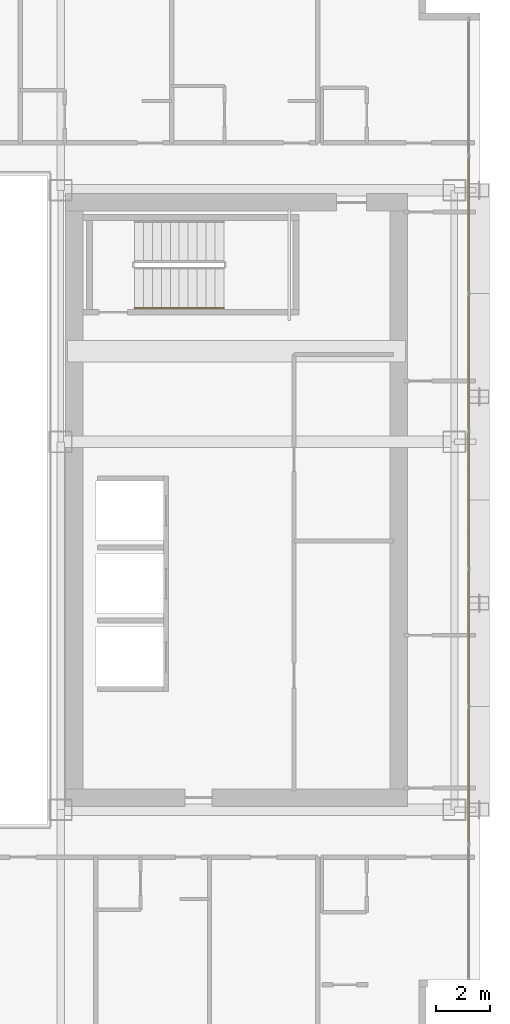
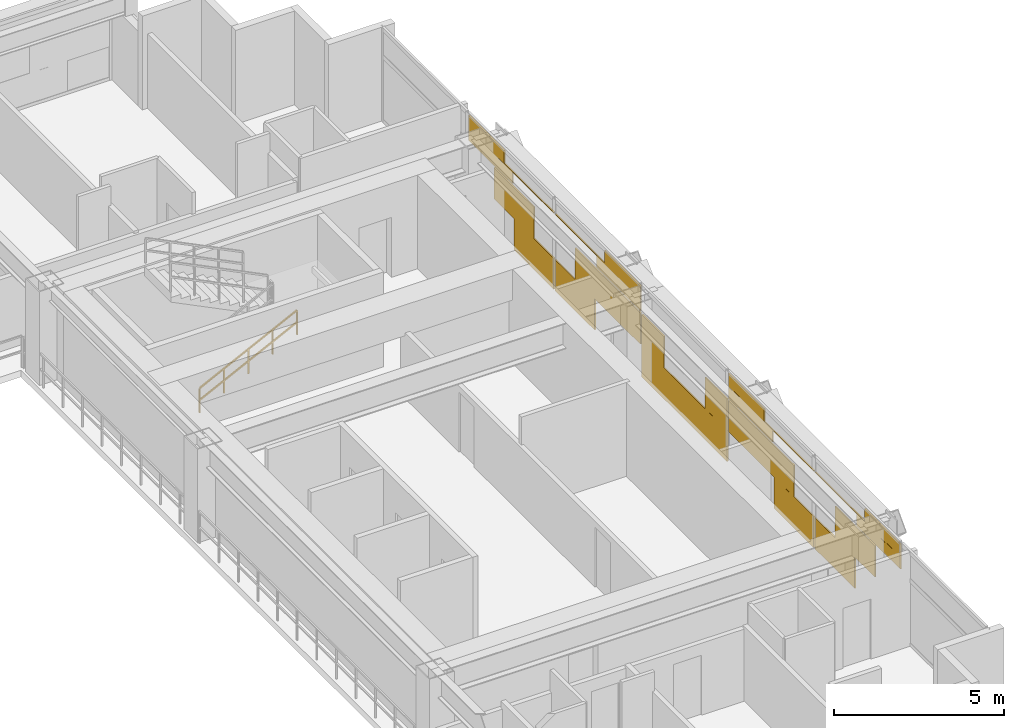
# One storey, part 34 of 35: 1 covering, 1 railing.
"""IFC4 building model written with IfcOpenShell, lengths in metres."""

import ifcopenshell
import ifcopenshell.guid

model = None  # the IFC model being written
_history = None  # IfcOwnerHistory: only IFC2X3 demands one
_inside = {}  # id of a spatial element -> (the spatial element, [elements in it])
_under = {}  # id of a project, library or spatial element -> (it, [spatial elements below it])
_declared = {}  # id of a project -> (the project, [libraries it declares])
_typed = {}  # id of a type object -> (the type object, [elements of that type])
_made_of = {}  # id of a material, layer set ... -> (it, [elements and type objects made of it])


def new_model(schema):
    """Start an empty IFC model of exactly this schema.

    Asked for "IFC4X3", IfcOpenShell would pick the latest addendum, in which some entities
    have other attributes; the version numbers below select the first issue.
    IFC2X3 requires an IfcOwnerHistory on every rooted entity: one is made here for all.
    """
    global model, _history
    if schema == "IFC4X3":
        model = ifcopenshell.file(schema_version=(4, 3, 0, 0))
    else:
        model = ifcopenshell.file(schema=schema)
    _inside.clear()
    _under.clear()
    _declared.clear()
    _typed.clear()
    _made_of.clear()
    _history = None
    if model.schema == "IFC2X3":
        org = make("IfcOrganization", Name="unknown")
        user = make(
            "IfcPersonAndOrganization",
            ThePerson=make("IfcPerson", FamilyName="unknown"),
            TheOrganization=org,
        )
        app = make(
            "IfcApplication",
            ApplicationDeveloper=org,
            Version="unknown",
            ApplicationFullName="unknown",
            ApplicationIdentifier="unknown",
        )
        _history = make(
            "IfcOwnerHistory",
            OwningUser=user,
            OwningApplication=app,
            ChangeAction="ADDED",
            CreationDate=0,
        )
    return model


def make(cls, **values):
    """One entity of the class cls with the attributes given. An attribute that is None is left unset."""
    return model.create_entity(
        cls, **{name: value for name, value in values.items() if value is not None}
    )


def rooted(cls, **values):
    """An entity with a GlobalId (a new one), such as an element, a storey or a relation."""
    return make(cls, GlobalId=ifcopenshell.guid.new(), OwnerHistory=_history, **values)


def si_unit(unit_type, name, prefix=None):
    """IfcSIUnit, for example si_unit("LENGTHUNIT", "METRE", prefix="MILLI")."""
    return make("IfcSIUnit", UnitType=unit_type, Prefix=prefix, Name=name)


def assignment(units):
    """IfcUnitAssignment: the units of a project."""
    return None if units is None else make("IfcUnitAssignment", Units=units)


def point(xyz):
    """IfcCartesianPoint."""
    return None if xyz is None else make("IfcCartesianPoint", Coordinates=xyz)


def direction(xyz):
    """IfcDirection."""
    return None if xyz is None else make("IfcDirection", DirectionRatios=xyz)


def frame(location, z_axis=None, x_axis=None):
    """IfcAxis2Placement3D, a coordinate frame: its origin and axes. An axis left out is left unset."""
    return make(
        "IfcAxis2Placement3D",
        Location=point(location),
        Axis=direction(z_axis),
        RefDirection=direction(x_axis),
    )


def frame_2d(location, x_axis=None):
    """IfcAxis2Placement2D, a coordinate frame in the plane: its origin and x axis."""
    return make(
        "IfcAxis2Placement2D", Location=point(location), RefDirection=direction(x_axis)
    )


def origin():
    """The frame at (0, 0, 0) with its axes left unset."""
    return frame((0.0, 0.0, 0.0))


def origin_2d():
    """The frame at (0, 0) in the plane with its x axis left unset."""
    return frame_2d((0.0, 0.0))


def place(relative_to, where):
    """IfcLocalPlacement: puts the frame where relative to a parent placement (None: the world)."""
    return make(
        "IfcLocalPlacement", PlacementRelTo=relative_to, RelativePlacement=where
    )


def context(
    kind, dimensions, precision=None, world=None, true_north=None, identifier=None
):
    """IfcGeometricRepresentationContext, for example the 3D "Model" context."""
    return make(
        "IfcGeometricRepresentationContext",
        ContextIdentifier=identifier,
        ContextType=kind,
        CoordinateSpaceDimension=dimensions,
        Precision=precision,
        WorldCoordinateSystem=world,
        TrueNorth=true_north,
    )


def subcontext(parent, identifier, kind, view, scale=None):
    """IfcGeometricRepresentationSubContext, for example "Body" below "Model"."""
    return make(
        "IfcGeometricRepresentationSubContext",
        ContextIdentifier=identifier,
        ContextType=kind,
        ParentContext=parent,
        TargetScale=scale,
        TargetView=view,
    )


def project(units=None, contexts=None):
    """IfcProject with its units and contexts."""
    return rooted(
        "IfcProject",
        Name="project",
        RepresentationContexts=contexts,
        UnitsInContext=assignment(units),
    )


def spatial(cls, under=None, at=None, **own):
    """A site, building, storey or space (cls), placed at a placement, below another one or the project."""
    s = rooted(cls, ObjectPlacement=at, **own)
    if under is not None:
        _under.setdefault(under.id(), (under, []))[1].append(s)
    return s


def profile(cls, at=None, kind="AREA", **sizes):
    """A parametric profile (cls). Its sizes go by their IFC names, for example OverallWidth=200.0."""
    return make(cls, ProfileType=kind, Position=at, **sizes)


def rectangle(**sizes):
    """IfcRectangleProfileDef."""
    return profile("IfcRectangleProfileDef", **sizes)


def extrude(swept, where, along, depth):
    """IfcExtrudedAreaSolid: the profile swept, set in the frame where, extruded along a direction by depth."""
    return make(
        "IfcExtrudedAreaSolid",
        SweptArea=swept,
        Position=where,
        ExtrudedDirection=direction(along),
        Depth=depth,
    )


def shape(context_of_items, identifier, shape_type, items):
    """IfcShapeRepresentation: the items that make up one representation, for example the "Body"."""
    return make(
        "IfcShapeRepresentation",
        ContextOfItems=context_of_items,
        RepresentationIdentifier=identifier,
        RepresentationType=shape_type,
        Items=items,
    )


def material(Name=None, Category=None):
    """IfcMaterial."""
    return make("IfcMaterial", Name=Name, Category=Category)


def layer(
    of_material, thickness, ventilated=None, Name=None, Category=None, Priority=None
):
    """IfcMaterialLayer: one layer of a wall or slab, of a material (None: an air gap)."""
    return make(
        "IfcMaterialLayer",
        Material=of_material,
        LayerThickness=thickness,
        IsVentilated=ventilated,
        Name=Name,
        Category=Category,
        Priority=Priority,
    )


def layer_set(layers, Name=None):
    """IfcMaterialLayerSet."""
    return make("IfcMaterialLayerSet", MaterialLayers=layers, LayerSetName=Name)


def made_of(thing, what):
    """Note that an element or type object is made of a material, layer set ...; save() writes the relation."""
    if what is not None:
        _made_of.setdefault(what.id(), (what, []))[1].append(thing)
    return thing


def type_object(cls, material=None, **own):
    """A type object (cls), such as IfcWallType, which elements share."""
    return made_of(rooted(cls, **own), material)


def element(
    cls,
    number,
    at=None,
    inside=None,
    cuts=None,
    type_object=None,
    material=None,
    context=None,
    identifier="Body",
    shape_type=None,
    held_by="IfcProductDefinitionShape",
    body=None,
    shapes=None,
    **own,
):
    """One element of the class cls, such as IfcWall. Its Tag is "e" and its number.

    at: its placement. inside: the storey or other place that contains it. cuts: it is an
    opening in that element (IfcRelVoidsElement). A single representation is given by context,
    identifier, shape_type and body (its items); several are given by shapes. held_by: the class
    of the entity that holds the representations. save() writes the other relations.
    """
    e = rooted(cls, Tag="e%d" % number, ObjectPlacement=at, **own)
    if body is not None:
        shapes = [shape(context, identifier, shape_type, body)]
    if shapes is not None:
        e.Representation = make(held_by, Representations=shapes)
    if inside is not None:
        _inside.setdefault(inside.id(), (inside, []))[1].append(e)
    if cuts is not None:
        rooted(
            "IfcRelVoidsElement", RelatingBuildingElement=cuts, RelatedOpeningElement=e
        )
    if type_object is not None:
        _typed.setdefault(type_object.id(), (type_object, []))[1].append(e)
    return made_of(e, material)


def aggregate(whole, parts):
    """IfcRelAggregates: a whole, such as a stair, and the parts it consists of."""
    return rooted("IfcRelAggregates", RelatingObject=whole, RelatedObjects=parts)


def save(model, path):
    """Write the relations noted so far, then the file.

    IfcRelAggregates (storeys below a building ...), IfcRelContainedInSpatialStructure (elements
    in a storey), IfcRelDefinesByType, IfcRelAssociatesMaterial and IfcRelDeclares: one each for
    every whole, place, type object, material and project.
    """
    for whole, parts in _under.values():
        aggregate(whole, parts)
    for where, things in _inside.values():
        rooted(
            "IfcRelContainedInSpatialStructure",
            RelatedElements=things,
            RelatingStructure=where,
        )
    for kind, things in _typed.values():
        rooted("IfcRelDefinesByType", RelatedObjects=things, RelatingType=kind)
    for what, things in _made_of.values():
        rooted("IfcRelAssociatesMaterial", RelatedObjects=things, RelatingMaterial=what)
    for by, libraries in _declared.values():
        rooted("IfcRelDeclares", RelatingContext=by, RelatedDefinitions=libraries)
    model.write(path)


model = new_model("IFC4")

# Units and contexts
model_context = context("Model", 3, precision=1e-05, world=origin(), true_north=direction((0.0, 1.0)))
body_context = subcontext(model_context, "Body", "Model", "MODEL_VIEW")
ifc_project = project(units=[si_unit("LENGTHUNIT", "METRE"), si_unit("AREAUNIT", "SQUARE_METRE"), si_unit("VOLUMEUNIT", "CUBIC_METRE"), si_unit("PLANEANGLEUNIT", "RADIAN"), si_unit("MASSUNIT", "GRAM", prefix="KILO")], contexts=[model_context])

# Site, building, storey
site_placement = place(None, origin())
site = spatial("IfcSite", under=ifc_project, at=site_placement, CompositionType="ELEMENT")
building_placement = place(site_placement, origin())
building = spatial("IfcBuilding", under=site, at=building_placement, Name="Ocotamira Hotel", CompositionType="ELEMENT")
storey_placement = place(building_placement, frame((0.0, 0.0, 122.39990234375)))
storey = spatial("IfcBuildingStorey", under=building, at=storey_placement, Name="L30", CompositionType="ELEMENT", Elevation=122.39990234375)

# Covering
ifc_material_1 = material(Name="Insulated pale-metal aluminium spandrel panel", Category="aluminium")
ifc_layer = layer(ifc_material_1, 0.044921875)
ifc_layer_set = layer_set([ifc_layer], Name="Insulated pale-metal aluminium spandrel panel")
covering_type = type_object("IfcCoveringType", Name="COV-INFILL-45", PredefinedType="CLADDING", material=ifc_layer_set)
covering_placement = place(storey_placement, origin())
element("IfcCovering", 1, at=covering_placement, inside=storey, type_object=covering_type, Name="L30 Curtain Wall Infill CW-3 CW-L30-E", PredefinedType="CLADDING", context=body_context, shape_type="SweptSolid", body=[
    extrude(rectangle(XDim=2.35107421875, YDim=0.044921875, at=origin_2d()), frame((55.580078125, 15.988525390625, 1.1943359375), z_axis=(0.0, 0.0, 1.0), x_axis=(0.0, 1.0, 0.0)), (0.0, 0.0, 1.0), 1.117919921875),
    extrude(rectangle(XDim=2.331787109375, YDim=0.044921875, at=origin_2d()), frame((55.580078125, 17.1650390625, 0.07568359375), z_axis=(0.0, 0.0, 1.0), x_axis=(0.0, 1.0, 0.0)), (0.0, 0.0, 1.0), 1.117919921875),
    extrude(rectangle(XDim=2.572265625, YDim=0.044921875, at=origin_2d()), frame((55.580078125, 14.6123046875, 2.38818359375), z_axis=(0.0, 0.0, 1.0), x_axis=(0.0, 1.0, 0.0)), (0.0, 0.0, 1.0), 0.413330078125),
    extrude(rectangle(XDim=5.004638671875, YDim=0.044921875, at=origin_2d()), frame((55.580078125, 15.82861328125, 2.802490234375), z_axis=(0.0, 0.0, 1.0), x_axis=(0.0, 1.0, 0.0)), (0.0, 0.0, 1.0), 0.033203125),
    extrude(rectangle(XDim=2.096435546875, YDim=0.044921875, at=origin_2d()), frame((55.580078125, 14.37451171875, 2.8369140625), z_axis=(0.0, 0.0, 1.0), x_axis=(0.0, 1.0, 0.0)), (0.0, 0.0, 1.0), 0.44775390625),
    extrude(rectangle(XDim=2.322265625, YDim=0.044921875, at=origin_2d()), frame((55.580078125, 19.572998046875, 0.07568359375), z_axis=(0.0, 0.0, 1.0), x_axis=(0.0, 1.0, 0.0)), (0.0, 0.0, 1.0), 1.117919921875),
    extrude(rectangle(XDim=3.847412109375, YDim=0.044921875, at=origin_2d()), frame((55.580078125, 21.492919921875, 1.1943359375), z_axis=(0.0, 0.0, 1.0), x_axis=(0.0, 1.0, 0.0)), (0.0, 0.0, 1.0), 1.117919921875),
    extrude(rectangle(XDim=5.004638671875, YDim=0.044921875, at=origin_2d()), frame((55.580078125, 20.914306640625, 2.802490234375), z_axis=(0.0, 0.0, 1.0), x_axis=(0.0, 1.0, 0.0)), (0.0, 0.0, 1.0), 0.033203125),
    extrude(rectangle(XDim=2.581787109375, YDim=0.044921875, at=origin_2d()), frame((55.580078125, 22.125732421875, 2.38818359375), z_axis=(0.0, 0.0, 1.0), x_axis=(0.0, 1.0, 0.0)), (0.0, 0.0, 1.0), 0.413330078125),
    extrude(rectangle(XDim=2.106201171875, YDim=0.044921875, at=origin_2d()), frame((55.580078125, 22.363525390625, 2.8369140625), z_axis=(0.0, 0.0, 1.0), x_axis=(0.0, 1.0, 0.0)), (0.0, 0.0, 1.0), 0.44775390625),
    extrude(rectangle(XDim=5.004638671875, YDim=0.044921875, at=origin_2d()), frame((55.580078125, 26.0, 0.07568359375), z_axis=(0.0, 0.0, 1.0), x_axis=(0.0, 1.0, 0.0)), (0.0, 0.0, 1.0), 1.117919921875),
    extrude(rectangle(XDim=1.2998046875, YDim=0.044921875, at=origin_2d()), frame((55.580078125, 24.1474609375, 1.1943359375), z_axis=(0.0, 0.0, 1.0), x_axis=(0.0, 1.0, 0.0)), (0.0, 0.0, 1.0), 1.117919921875),
    extrude(rectangle(XDim=1.2998046875, YDim=0.044921875, at=origin_2d()), frame((55.580078125, 27.8525390625, 1.1943359375), z_axis=(0.0, 0.0, 1.0), x_axis=(0.0, 1.0, 0.0)), (0.0, 0.0, 1.0), 1.117919921875),
    extrude(rectangle(XDim=3.847412109375, YDim=0.044921875, at=origin_2d()), frame((55.580078125, 30.507080078125, 1.1943359375), z_axis=(0.0, 0.0, 1.0), x_axis=(0.0, 1.0, 0.0)), (0.0, 0.0, 1.0), 1.117919921875),
    extrude(rectangle(XDim=2.322265625, YDim=0.044921875, at=origin_2d()), frame((55.580078125, 32.427001953125, 0.07568359375), z_axis=(0.0, 0.0, 1.0), x_axis=(0.0, 1.0, 0.0)), (0.0, 0.0, 1.0), 1.117919921875),
    extrude(rectangle(XDim=2.581787109375, YDim=0.044921875, at=origin_2d()), frame((55.580078125, 29.874267578125, 2.38818359375), z_axis=(0.0, 0.0, 1.0), x_axis=(0.0, 1.0, 0.0)), (0.0, 0.0, 1.0), 0.413330078125),
    extrude(rectangle(XDim=5.004638671875, YDim=0.044921875, at=origin_2d()), frame((55.580078125, 31.085693359375, 2.802490234375), z_axis=(0.0, 0.0, 1.0), x_axis=(0.0, 1.0, 0.0)), (0.0, 0.0, 1.0), 0.033203125),
    extrude(rectangle(XDim=2.106201171875, YDim=0.044921875, at=origin_2d()), frame((55.580078125, 29.636474609375, 2.8369140625), z_axis=(0.0, 0.0, 1.0), x_axis=(0.0, 1.0, 0.0)), (0.0, 0.0, 1.0), 0.44775390625),
    extrude(rectangle(XDim=2.331787109375, YDim=0.044921875, at=origin_2d()), frame((55.580078125, 34.8349609375, 0.07568359375), z_axis=(0.0, 0.0, 1.0), x_axis=(0.0, 1.0, 0.0)), (0.0, 0.0, 1.0), 1.117919921875),
    extrude(rectangle(XDim=2.35107421875, YDim=0.044921875, at=origin_2d()), frame((55.580078125, 36.011474609375, 1.1943359375), z_axis=(0.0, 0.0, 1.0), x_axis=(0.0, 1.0, 0.0)), (0.0, 0.0, 1.0), 1.117919921875),
    extrude(rectangle(XDim=5.004638671875, YDim=0.044921875, at=origin_2d()), frame((55.580078125, 36.17138671875, 2.802490234375), z_axis=(0.0, 0.0, 1.0), x_axis=(0.0, 1.0, 0.0)), (0.0, 0.0, 1.0), 0.033203125),
    extrude(rectangle(XDim=2.572265625, YDim=0.044921875, at=origin_2d()), frame((55.580078125, 37.3876953125, 2.38818359375), z_axis=(0.0, 0.0, 1.0), x_axis=(0.0, 1.0, 0.0)), (0.0, 0.0, 1.0), 0.413330078125),
    extrude(rectangle(XDim=2.096435546875, YDim=0.044921875, at=origin_2d()), frame((55.580078125, 37.62548828125, 2.8369140625), z_axis=(0.0, 0.0, 1.0), x_axis=(0.0, 1.0, 0.0)), (0.0, 0.0, 1.0), 0.44775390625),
])

# Railing
ifc_material_2 = material(Name="Brushed stainless steel handrail", Category="steel")
railing_type = type_object("IfcRailingType", Name="RL-HAND-900", PredefinedType="HANDRAIL", material=ifc_material_2)
railing_placement = place(storey_placement, frame((43.22998046875, 33.10009765625, 0.327392578125)))
element("IfcRailing", 2, at=railing_placement, inside=storey, type_object=railing_type, Name="L30 ST-4 stair handrail 1", PredefinedType="HANDRAIL", context=body_context, shape_type="SweptSolid", body=[
    extrude(rectangle(XDim=0.048095703125, YDim=0.048095703125, at=origin_2d()), frame((0.0, 0.0, 0.8759765625), z_axis=(0.895920123917, 0.0, 0.444215186098), x_axis=(0.0, 1.0, 0.0)), (0.0, 0.0, 1.0), 3.683349609375),
    extrude(rectangle(XDim=0.048095703125, YDim=0.048095703125, at=origin_2d()), frame((0.0, 0.0, 0.449951171875), z_axis=(0.895920123917, 0.0, 0.444215186098), x_axis=(0.0, 1.0, 0.0)), (0.0, 0.0, 1.0), 3.683349609375),
    extrude(rectangle(XDim=0.0419921875, YDim=0.0419921875, at=origin_2d()), origin(), (0.0, 0.0, 1.0), 0.851806640625),
    extrude(rectangle(XDim=0.0419921875, YDim=0.0419921875, at=origin_2d()), frame((0.824951171875, 0.0, 0.4091796875)), (0.0, 0.0, 1.0), 0.851806640625),
    extrude(rectangle(XDim=0.0419921875, YDim=0.0419921875, at=origin_2d()), frame((1.64990234375, 0.0, 0.818115234375)), (0.0, 0.0, 1.0), 0.851806640625),
    extrude(rectangle(XDim=0.0419921875, YDim=0.0419921875, at=origin_2d()), frame((2.47509765625, 0.0, 1.22705078125)), (0.0, 0.0, 1.0), 0.851806640625),
    extrude(rectangle(XDim=0.0419921875, YDim=0.0419921875, at=origin_2d()), frame((3.300048828125, 0.0, 1.63623046875)), (0.0, 0.0, 1.0), 0.851806640625),
])

save(model, "model.ifc")
